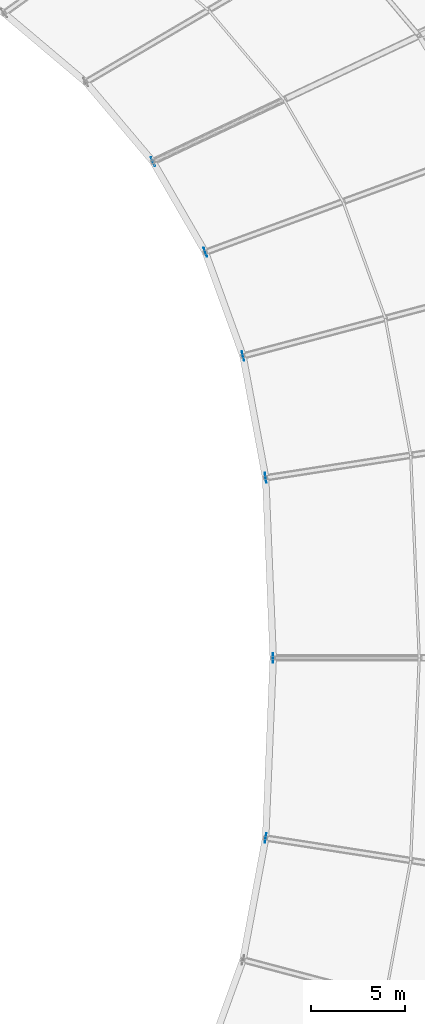
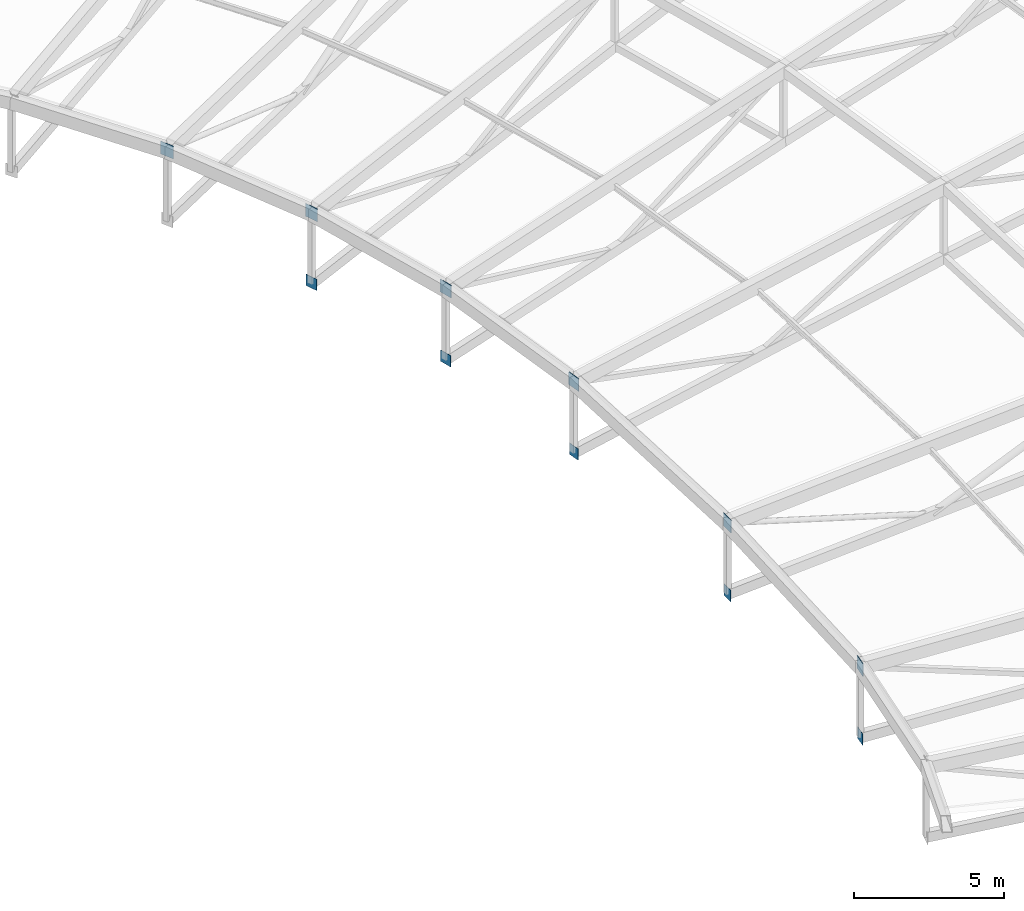
# One storey, part 126 of 143: 11 plates.
"""IFC4 building model written with IfcOpenShell, lengths in metres."""

from ifc_helpers import new_model, si_unit, direction, frame, origin, origin_2d, place, context, subcontext, project, spatial, rectangle, extrude, material, layer, layer_set, type_object, element, save


model = new_model("IFC4")

# Units and contexts
model_context = context("Model", 3, precision=1e-05, world=origin(), true_north=direction((0.0, 1.0)))
body_context = subcontext(model_context, "Body", "Model", "MODEL_VIEW")
ifc_project = project(units=[si_unit("LENGTHUNIT", "METRE"), si_unit("AREAUNIT", "SQUARE_METRE"), si_unit("VOLUMEUNIT", "CUBIC_METRE"), si_unit("PLANEANGLEUNIT", "RADIAN"), si_unit("MASSUNIT", "GRAM", prefix="KILO")], contexts=[model_context])

# Site, building, storey
site_placement = place(None, origin())
site = spatial("IfcSite", under=ifc_project, at=site_placement, CompositionType="ELEMENT")
building_placement = place(site_placement, origin())
building = spatial("IfcBuilding", under=site, at=building_placement, Name="Mphavela Belvedere Stadium", CompositionType="ELEMENT")
storey_placement = place(building_placement, frame((0.0, 0.0, 28.800048828125)))
storey = spatial("IfcBuildingStorey", under=building, at=storey_placement, Name="RF", CompositionType="ELEMENT", Elevation=28.800048828125)

# Plates
ifc_material_1 = material(Name="Steel S355", Category="steel")
ifc_layer_1 = layer(ifc_material_1, 0.01806640625)
ifc_layer_set_1 = layer_set([ifc_layer_1], Name="Steel S355")
plate_type_1 = type_object("IfcPlateType", Name="PLT-CAP-TRUSS-BC", PredefinedType="USERDEFINED", material=ifc_layer_set_1)
for number, where, z_axis, x_axis, name in (
    (1, (177.080078125, 87.0, -1.5810546875), (0.0, 0.0, 1.0), (1.0, 0.0, 0.0), "Roof truss RT-01 hollow-end cap plate in_bc"),
    (2, (176.6787109375, 96.56689453125, -1.482177734375), (0.0, 0.0, 1.0), (0.98817491911, 0.153330783737, 0.0), "Roof truss RT-02 hollow-end cap plate in_bc"),
    (3, (175.476806640625, 103.03759765625, -1.192626953125), (0.0, 0.0, 1.0), (0.966600102017, 0.256289373133, 0.0), "Roof truss RT-03 hollow-end cap plate in_bc"),
    (4, (173.47900390625, 108.5439453125, -0.732177734375), (0.0, 0.0, 1.0), (0.938372433776, 0.34562577382, 0.0), "Roof truss RT-04 hollow-end cap plate in_bc"),
    (5, (176.6787109375, 77.43310546875, -1.482177734375), (0.0, 0.0, 1.0), (0.98817491911, -0.153330783737, 0.0), "Roof truss RT-48 hollow-end cap plate in_bc"),
):
    element("IfcPlate", number, at=place(storey_placement, frame(where, z_axis=z_axis, x_axis=x_axis)), inside=storey, type_object=plate_type_1, Name=name, ObjectType="GUSSET_PLATE", PredefinedType="USERDEFINED", context=body_context, shape_type="SweptSolid", body=[
        extrude(rectangle(XDim=0.01806640625, YDim=0.4599609375, at=origin_2d()), origin(), (0.0, 0.0, 1.0), 0.4599609375),
    ])
ifc_material_2 = material(Name="Steel S355", Category="steel")
ifc_layer_2 = layer(ifc_material_2, 0.02001953125)
ifc_layer_set_2 = layer_set([ifc_layer_2], Name="Steel S355")
plate_type_2 = type_object("IfcPlateType", Name="PLT-CAP-TRUSS-TC", PredefinedType="USERDEFINED", material=ifc_layer_set_2)
for number, where, z_axis, x_axis, name in (
    (6, (177.080078125, 87.0, 1.239013671875), (0.0, 0.0, 1.0), (1.0, 0.0, 0.0), "Roof truss RT-01 hollow-end cap plate in_tc"),
    (7, (176.6787109375, 96.56689453125, 1.337646484375), (0.0, 0.0, 1.0), (0.98817491911, 0.153330783737, 0.0), "Roof truss RT-02 hollow-end cap plate in_tc"),
    (8, (175.476806640625, 103.03759765625, 1.627197265625), (0.0, 0.0, 1.0), (0.966600102017, 0.256289373133, 0.0), "Roof truss RT-03 hollow-end cap plate in_tc"),
    (9, (173.47900390625, 108.5439453125, 2.087646484375), (0.0, 0.0, 1.0), (0.938372433776, 0.34562577382, 0.0), "Roof truss RT-04 hollow-end cap plate in_tc"),
    (10, (170.693603515625, 113.361572265625, 2.68798828125), (0.0, 0.0, 1.0), (0.903858661687, 0.4278311813, 0.0), "Roof truss RT-05 hollow-end cap plate in_tc"),
    (11, (176.6787109375, 77.43310546875, 1.337646484375), (0.0, 0.0, 1.0), (0.98817491911, -0.153330783737, 0.0), "Roof truss RT-48 hollow-end cap plate in_tc"),
):
    element("IfcPlate", number, at=place(storey_placement, frame(where, z_axis=z_axis, x_axis=x_axis)), inside=storey, type_object=plate_type_2, Name=name, ObjectType="GUSSET_PLATE", PredefinedType="USERDEFINED", context=body_context, shape_type="SweptSolid", body=[
        extrude(rectangle(XDim=0.02001953125, YDim=0.52001953125, at=origin_2d()), origin(), (0.0, 0.0, 1.0), 0.52001953125),
    ])

save(model, "model.ifc")
